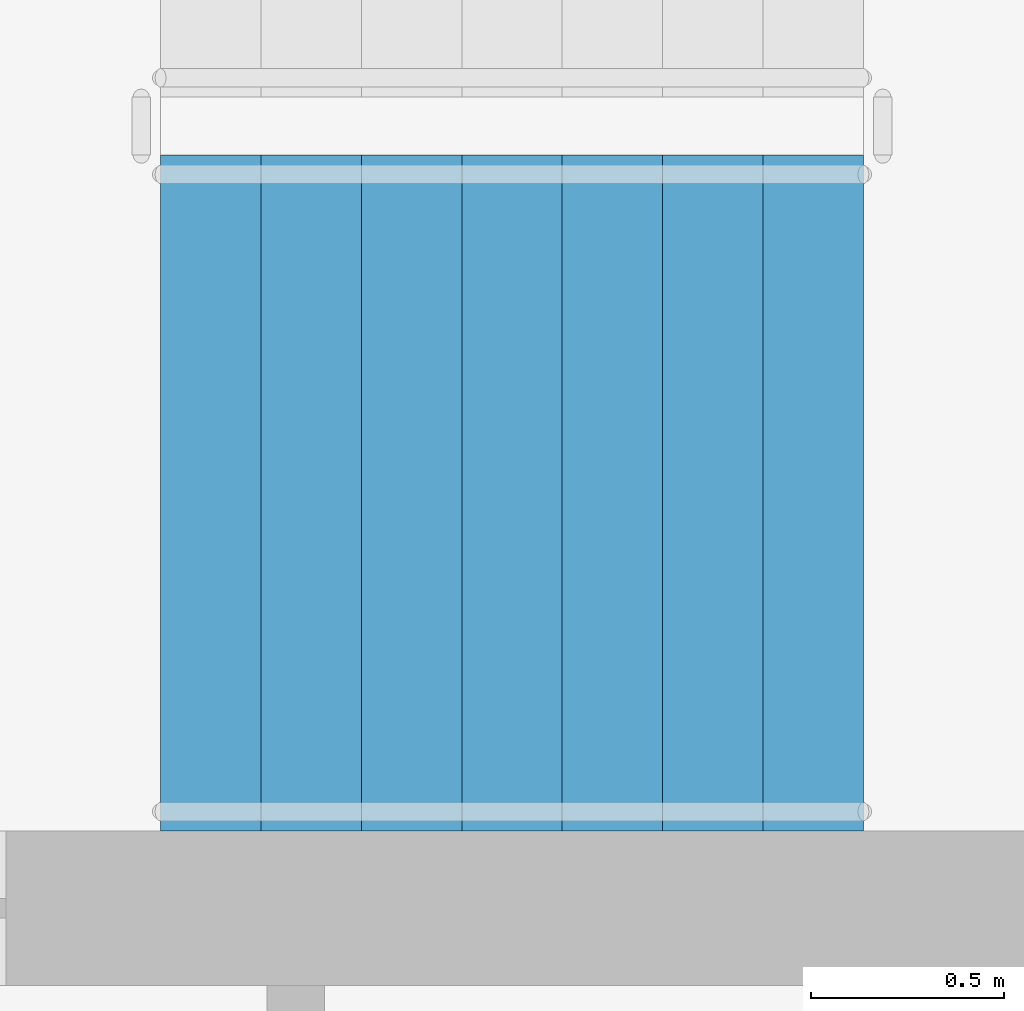
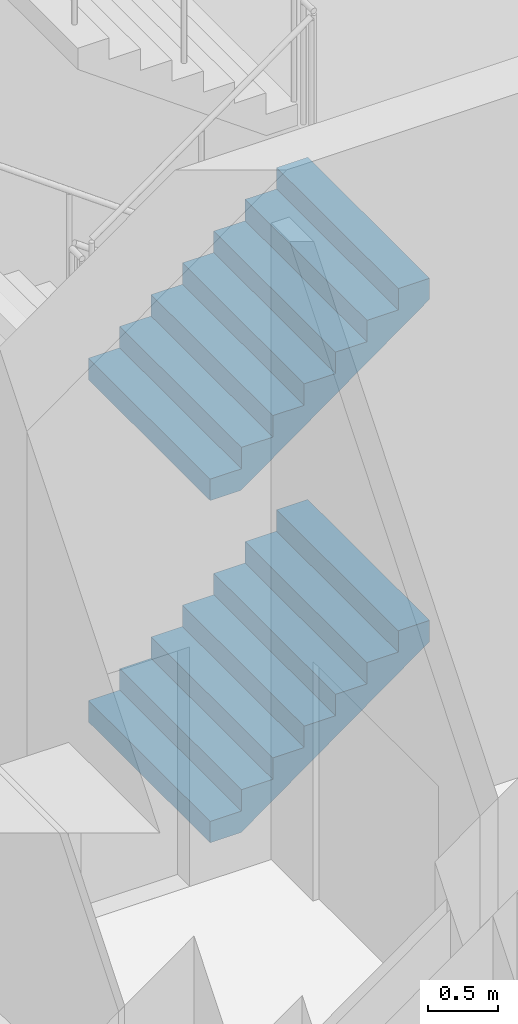
# One storey, part 46 of 75: 2 stair flights, 1 element without a shape of its own.
"""IFC4 building model written with IfcOpenShell, lengths in metres."""

from ifc_helpers import new_model, si_unit, direction, frame, origin, place, context, subcontext, project, spatial, faceted_brep, material, type_object, element, aggregate, save


model = new_model("IFC4")

# Units and contexts
model_context = context("Model", 3, precision=1e-05, world=origin(), true_north=direction((0.0, 1.0)))
body_context = subcontext(model_context, "Body", "Model", "MODEL_VIEW")
ifc_project = project(units=[si_unit("LENGTHUNIT", "METRE"), si_unit("AREAUNIT", "SQUARE_METRE"), si_unit("VOLUMEUNIT", "CUBIC_METRE"), si_unit("PLANEANGLEUNIT", "RADIAN"), si_unit("MASSUNIT", "GRAM", prefix="KILO")], contexts=[model_context])

# Site, building, storey
site_placement = place(None, origin())
site = spatial("IfcSite", under=ifc_project, at=site_placement, CompositionType="ELEMENT")
building_placement = place(site_placement, origin())
building = spatial("IfcBuilding", under=site, at=building_placement, Name="Ipe Terrace Towers", CompositionType="ELEMENT")
storey_placement = place(building_placement, origin())
storey = spatial("IfcBuildingStorey", under=building, at=storey_placement, Name="L00", CompositionType="ELEMENT", Elevation=0.0)

# Stair, stair flights
ifc_material_1 = material(Name="Concrete C30/37", Category="concrete")
stair_type = type_object("IfcStairType", Name="Protected exit stair", PredefinedType="HALF_TURN_STAIR", material=ifc_material_1)
stair_placement = place(storey_placement, origin())
stair = element("IfcStair", 1, at=stair_placement, inside=storey, type_object=stair_type, Name="L00 Exit stair T1-C1", PredefinedType="HALF_TURN_STAIR")
ifc_material_2 = material(Name="Concrete C30/37", Category="concrete")
stair_flight_type = type_object("IfcStairFlightType", Name="Exit stair flight 1750", PredefinedType="STRAIGHT", material=ifc_material_2)
stair_flight_1_placement = place(storey_placement, frame((-26.300048828125, 2.77490234375, 0.0), z_axis=(0.0, 0.0, 1.0), x_axis=(1.0, 0.0, 0.0)))
stair_flight_1 = element("IfcStairFlight", 2, at=stair_flight_1_placement, type_object=stair_flight_type, Name="T1-ST1 flight 1", NumberOfRisers=8, NumberOfTreads=7, PredefinedType="STRAIGHT", RiserHeight=0.1875, TreadLength=0.26, context=body_context, shape_type="Brep", body=[
    faceted_brep([(0.25634765625, -0.875, 0.0), (1.820068359375, -0.875, 1.127685546875), (1.820068359375, -0.875, 1.3125), (1.56005859375, -0.875, 1.3125), (1.56005859375, -0.875, 1.125), (1.300048828125, -0.875, 1.125), (1.300048828125, -0.875, 0.9375), (1.0400390625, -0.875, 0.9375), (1.0400390625, -0.875, 0.75), (0.780029296875, -0.875, 0.75), (0.780029296875, -0.875, 0.5625), (0.52001953125, -0.875, 0.5625), (0.52001953125, -0.875, 0.375), (0.260009765625, -0.875, 0.375), (0.260009765625, -0.875, 0.1875), (0.0, -0.875, 0.1875), (0.0, -0.875, 0.0), (0.0, 0.875, 0.0), (0.0, 0.875, 0.1875), (0.260009765625, 0.875, 0.1875), (0.260009765625, 0.875, 0.375), (0.52001953125, 0.875, 0.375), (0.52001953125, 0.875, 0.5625), (0.780029296875, 0.875, 0.5625), (0.780029296875, 0.875, 0.75), (1.0400390625, 0.875, 0.75), (1.0400390625, 0.875, 0.9375), (1.300048828125, 0.875, 0.9375), (1.300048828125, 0.875, 1.125), (1.56005859375, 0.875, 1.125), (1.56005859375, 0.875, 1.3125), (1.820068359375, 0.875, 1.3125), (1.820068359375, 0.875, 1.127685546875), (0.25634765625, 0.875, 0.0), (0.0, -0.300048828125, 0.1875), (0.0, -0.1201171875, 0.1875), (0.0, -0.06005859375, 0.1875), (0.0, -0.030029296875, 0.1875), (0.0, -0.010009765625, 0.1875), (0.0, 0.0, 0.1875), (0.0, 0.010009765625, 0.1875), (0.0, 0.030029296875, 0.1875), (0.0, 0.06005859375, 0.1875), (0.0, 0.1201171875, 0.1875), (0.0, 0.300048828125, 0.1875), (0.0, 0.300048828125, 0.0), (0.0, 0.1201171875, 0.0), (0.0, 0.06005859375, 0.0), (0.0, 0.030029296875, 0.0), (0.0, 0.010009765625, 0.0), (0.0, 0.0, 0.0), (0.0, -0.010009765625, 0.0), (0.0, -0.030029296875, 0.0), (0.0, -0.06005859375, 0.0), (0.0, -0.1201171875, 0.0), (0.0, -0.300048828125, 0.0), (0.260009765625, -0.300048828125, 0.1875), (0.260009765625, -0.1201171875, 0.1875), (0.260009765625, -0.06005859375, 0.1875), (0.260009765625, -0.030029296875, 0.1875), (0.260009765625, -0.010009765625, 0.1875), (0.260009765625, 0.0, 0.1875), (0.260009765625, 0.010009765625, 0.1875), (0.260009765625, 0.030029296875, 0.1875), (0.260009765625, 0.06005859375, 0.1875), (0.260009765625, 0.1201171875, 0.1875), (0.260009765625, 0.300048828125, 0.1875), (0.260009765625, -0.300048828125, 0.375), (0.260009765625, -0.1201171875, 0.375), (0.260009765625, -0.06005859375, 0.375), (0.260009765625, -0.030029296875, 0.375), (0.260009765625, -0.010009765625, 0.375), (0.260009765625, 0.0, 0.375), (0.260009765625, 0.010009765625, 0.375), (0.260009765625, 0.030029296875, 0.375), (0.260009765625, 0.06005859375, 0.375), (0.260009765625, 0.1201171875, 0.375), (0.260009765625, 0.300048828125, 0.375), (0.52001953125, -0.300048828125, 0.375), (0.52001953125, -0.1201171875, 0.375), (0.52001953125, -0.06005859375, 0.375), (0.52001953125, -0.030029296875, 0.375), (0.52001953125, -0.010009765625, 0.375), (0.52001953125, 0.0, 0.375), (0.52001953125, 0.010009765625, 0.375), (0.52001953125, 0.030029296875, 0.375), (0.52001953125, 0.06005859375, 0.375), (0.52001953125, 0.1201171875, 0.375), (0.52001953125, 0.300048828125, 0.375), (0.52001953125, -0.300048828125, 0.5625), (0.52001953125, -0.1201171875, 0.5625), (0.52001953125, -0.06005859375, 0.5625), (0.52001953125, -0.030029296875, 0.5625), (0.52001953125, -0.010009765625, 0.5625), (0.52001953125, 0.0, 0.5625), (0.52001953125, 0.010009765625, 0.5625), (0.52001953125, 0.030029296875, 0.5625), (0.52001953125, 0.06005859375, 0.5625), (0.52001953125, 0.1201171875, 0.5625), (0.52001953125, 0.300048828125, 0.5625), (0.780029296875, -0.300048828125, 0.5625), (0.780029296875, -0.1201171875, 0.5625), (0.780029296875, -0.06005859375, 0.5625), (0.780029296875, -0.030029296875, 0.5625), (0.780029296875, -0.010009765625, 0.5625), (0.780029296875, 0.0, 0.5625), (0.780029296875, 0.010009765625, 0.5625), (0.780029296875, 0.030029296875, 0.5625), (0.780029296875, 0.06005859375, 0.5625), (0.780029296875, 0.1201171875, 0.5625), (0.780029296875, 0.300048828125, 0.5625), (0.780029296875, -0.300048828125, 0.75), (0.780029296875, -0.1201171875, 0.75), (0.780029296875, -0.06005859375, 0.75), (0.780029296875, -0.030029296875, 0.75), (0.780029296875, -0.010009765625, 0.75), (0.780029296875, 0.0, 0.75), (0.780029296875, 0.010009765625, 0.75), (0.780029296875, 0.030029296875, 0.75), (0.780029296875, 0.06005859375, 0.75), (0.780029296875, 0.1201171875, 0.75), (0.780029296875, 0.300048828125, 0.75), (1.0400390625, -0.300048828125, 0.75), (1.0400390625, -0.1201171875, 0.75), (1.0400390625, -0.06005859375, 0.75), (1.0400390625, -0.030029296875, 0.75), (1.0400390625, -0.010009765625, 0.75), (1.0400390625, 0.0, 0.75), (1.0400390625, 0.010009765625, 0.75), (1.0400390625, 0.030029296875, 0.75), (1.0400390625, 0.06005859375, 0.75), (1.0400390625, 0.1201171875, 0.75), (1.0400390625, 0.300048828125, 0.75), (1.0400390625, -0.300048828125, 0.9375), (1.0400390625, -0.1201171875, 0.9375), (1.0400390625, -0.06005859375, 0.9375), (1.0400390625, -0.030029296875, 0.9375), (1.0400390625, -0.010009765625, 0.9375), (1.0400390625, 0.0, 0.9375), (1.0400390625, 0.010009765625, 0.9375), (1.0400390625, 0.030029296875, 0.9375), (1.0400390625, 0.06005859375, 0.9375), (1.0400390625, 0.1201171875, 0.9375), (1.0400390625, 0.300048828125, 0.9375), (1.300048828125, -0.300048828125, 0.9375), (1.300048828125, -0.1201171875, 0.9375), (1.300048828125, -0.06005859375, 0.9375), (1.300048828125, -0.030029296875, 0.9375), (1.300048828125, -0.010009765625, 0.9375), (1.300048828125, 0.0, 0.9375), (1.300048828125, 0.010009765625, 0.9375), (1.300048828125, 0.030029296875, 0.9375), (1.300048828125, 0.06005859375, 0.9375), (1.300048828125, 0.1201171875, 0.9375), (1.300048828125, 0.300048828125, 0.9375), (1.300048828125, -0.300048828125, 1.125), (1.300048828125, -0.1201171875, 1.125), (1.300048828125, -0.06005859375, 1.125), (1.300048828125, -0.030029296875, 1.125), (1.300048828125, -0.010009765625, 1.125), (1.300048828125, 0.0, 1.125), (1.300048828125, 0.010009765625, 1.125), (1.300048828125, 0.030029296875, 1.125), (1.300048828125, 0.06005859375, 1.125), (1.300048828125, 0.1201171875, 1.125), (1.300048828125, 0.300048828125, 1.125), (1.56005859375, -0.300048828125, 1.125), (1.56005859375, -0.1201171875, 1.125), (1.56005859375, -0.06005859375, 1.125), (1.56005859375, -0.030029296875, 1.125), (1.56005859375, -0.010009765625, 1.125), (1.56005859375, 0.0, 1.125), (1.56005859375, 0.010009765625, 1.125), (1.56005859375, 0.030029296875, 1.125), (1.56005859375, 0.06005859375, 1.125), (1.56005859375, 0.1201171875, 1.125), (1.56005859375, 0.300048828125, 1.125), (1.56005859375, -0.300048828125, 1.3125), (1.56005859375, -0.1201171875, 1.3125), (1.56005859375, -0.06005859375, 1.3125), (1.56005859375, -0.030029296875, 1.3125), (1.56005859375, -0.010009765625, 1.3125), (1.56005859375, 0.0, 1.3125), (1.56005859375, 0.010009765625, 1.3125), (1.56005859375, 0.030029296875, 1.3125), (1.56005859375, 0.06005859375, 1.3125), (1.56005859375, 0.1201171875, 1.3125), (1.56005859375, 0.300048828125, 1.3125), (1.820068359375, -0.300048828125, 1.3125), (1.820068359375, -0.1201171875, 1.3125), (1.820068359375, -0.06005859375, 1.3125), (1.820068359375, -0.030029296875, 1.3125), (1.820068359375, -0.010009765625, 1.3125), (1.820068359375, 0.0, 1.3125), (1.820068359375, 0.010009765625, 1.3125), (1.820068359375, 0.030029296875, 1.3125), (1.820068359375, 0.06005859375, 1.3125), (1.820068359375, 0.1201171875, 1.3125), (1.820068359375, 0.300048828125, 1.3125), (1.820068359375, -0.300048828125, 1.127685546875), (1.820068359375, -0.1201171875, 1.127685546875), (1.820068359375, -0.06005859375, 1.127685546875), (1.820068359375, -0.030029296875, 1.127685546875), (1.820068359375, -0.010009765625, 1.127685546875), (1.820068359375, 0.0, 1.127685546875), (1.820068359375, 0.010009765625, 1.127685546875), (1.820068359375, 0.030029296875, 1.127685546875), (1.820068359375, 0.06005859375, 1.127685546875), (1.820068359375, 0.1201171875, 1.127685546875), (1.820068359375, 0.300048828125, 1.127685546875), (0.25634765625, -0.300048828125, 0.0), (0.25634765625, -0.1201171875, 0.0), (0.25634765625, -0.06005859375, 0.0), (0.25634765625, -0.030029296875, 0.0), (0.25634765625, -0.010009765625, 0.0), (0.25634765625, 0.0, 0.0), (0.25634765625, 0.010009765625, 0.0), (0.25634765625, 0.030029296875, 0.0), (0.25634765625, 0.06005859375, 0.0), (0.25634765625, 0.1201171875, 0.0), (0.25634765625, 0.300048828125, 0.0)], [[[0, 1, 2, 3, 4, 5, 6, 7, 8, 9, 10, 11, 12, 13, 14, 15, 16]], [[17, 18, 19, 20, 21, 22, 23, 24, 25, 26, 27, 28, 29, 30, 31, 32, 33]], [[15, 34, 35, 36, 37, 38, 39, 40, 41, 42, 43, 44, 18, 17, 45, 46, 47, 48, 49, 50, 51, 52, 53, 54, 55, 16]], [[14, 56, 57, 58, 59, 60, 61, 62, 63, 64, 65, 66, 19, 18, 44, 43, 42, 41, 40, 39, 38, 37, 36, 35, 34, 15]], [[13, 67, 68, 69, 70, 71, 72, 73, 74, 75, 76, 77, 20, 19, 66, 65, 64, 63, 62, 61, 60, 59, 58, 57, 56, 14]], [[12, 78, 79, 80, 81, 82, 83, 84, 85, 86, 87, 88, 21, 20, 77, 76, 75, 74, 73, 72, 71, 70, 69, 68, 67, 13]], [[11, 89, 90, 91, 92, 93, 94, 95, 96, 97, 98, 99, 22, 21, 88, 87, 86, 85, 84, 83, 82, 81, 80, 79, 78, 12]], [[10, 100, 101, 102, 103, 104, 105, 106, 107, 108, 109, 110, 23, 22, 99, 98, 97, 96, 95, 94, 93, 92, 91, 90, 89, 11]], [[9, 111, 112, 113, 114, 115, 116, 117, 118, 119, 120, 121, 24, 23, 110, 109, 108, 107, 106, 105, 104, 103, 102, 101, 100, 10]], [[8, 122, 123, 124, 125, 126, 127, 128, 129, 130, 131, 132, 25, 24, 121, 120, 119, 118, 117, 116, 115, 114, 113, 112, 111, 9]], [[7, 133, 134, 135, 136, 137, 138, 139, 140, 141, 142, 143, 26, 25, 132, 131, 130, 129, 128, 127, 126, 125, 124, 123, 122, 8]], [[6, 144, 145, 146, 147, 148, 149, 150, 151, 152, 153, 154, 27, 26, 143, 142, 141, 140, 139, 138, 137, 136, 135, 134, 133, 7]], [[5, 155, 156, 157, 158, 159, 160, 161, 162, 163, 164, 165, 28, 27, 154, 153, 152, 151, 150, 149, 148, 147, 146, 145, 144, 6]], [[4, 166, 167, 168, 169, 170, 171, 172, 173, 174, 175, 176, 29, 28, 165, 164, 163, 162, 161, 160, 159, 158, 157, 156, 155, 5]], [[3, 177, 178, 179, 180, 181, 182, 183, 184, 185, 186, 187, 30, 29, 176, 175, 174, 173, 172, 171, 170, 169, 168, 167, 166, 4]], [[2, 188, 189, 190, 191, 192, 193, 194, 195, 196, 197, 198, 31, 30, 187, 186, 185, 184, 183, 182, 181, 180, 179, 178, 177, 3]], [[1, 199, 200, 201, 202, 203, 204, 205, 206, 207, 208, 209, 32, 31, 198, 197, 196, 195, 194, 193, 192, 191, 190, 189, 188, 2]], [[0, 210, 211, 212, 213, 214, 215, 216, 217, 218, 219, 220, 33, 32, 209, 208, 207, 206, 205, 204, 203, 202, 201, 200, 199, 1]], [[16, 55, 54, 53, 52, 51, 50, 49, 48, 47, 46, 45, 17, 33, 220, 219, 218, 217, 216, 215, 214, 213, 212, 211, 210, 0]]]),
])
stair_flight_2_placement = place(storey_placement, frame((-26.300048828125, 2.77490234375, 3.0), z_axis=(0.0, 0.0, 1.0), x_axis=(1.0, 0.0, 0.0)))
stair_flight_2 = element("IfcStairFlight", 3, at=stair_flight_2_placement, type_object=stair_flight_type, Name="T1-ST1 flight 3", NumberOfRisers=8, NumberOfTreads=7, PredefinedType="STRAIGHT", RiserHeight=0.1875, TreadLength=0.26, context=body_context, shape_type="Brep", body=[
    faceted_brep([(0.25634765625, -0.875, 0.0), (1.820068359375, -0.875, 1.127685546875), (1.820068359375, -0.875, 1.3125), (1.56005859375, -0.875, 1.3125), (1.56005859375, -0.875, 1.125), (1.300048828125, -0.875, 1.125), (1.300048828125, -0.875, 0.9375), (1.0400390625, -0.875, 0.9375), (1.0400390625, -0.875, 0.75), (0.780029296875, -0.875, 0.75), (0.780029296875, -0.875, 0.5625), (0.52001953125, -0.875, 0.5625), (0.52001953125, -0.875, 0.375), (0.260009765625, -0.875, 0.375), (0.260009765625, -0.875, 0.1875), (0.0, -0.875, 0.1875), (0.0, -0.875, 0.0), (0.0, 0.875, 0.0), (0.0, 0.875, 0.1875), (0.260009765625, 0.875, 0.1875), (0.260009765625, 0.875, 0.375), (0.52001953125, 0.875, 0.375), (0.52001953125, 0.875, 0.5625), (0.780029296875, 0.875, 0.5625), (0.780029296875, 0.875, 0.75), (1.0400390625, 0.875, 0.75), (1.0400390625, 0.875, 0.9375), (1.300048828125, 0.875, 0.9375), (1.300048828125, 0.875, 1.125), (1.56005859375, 0.875, 1.125), (1.56005859375, 0.875, 1.3125), (1.820068359375, 0.875, 1.3125), (1.820068359375, 0.875, 1.127685546875), (0.25634765625, 0.875, 0.0), (0.0, -0.300048828125, 0.1875), (0.0, -0.1201171875, 0.1875), (0.0, -0.06005859375, 0.1875), (0.0, -0.030029296875, 0.1875), (0.0, -0.010009765625, 0.1875), (0.0, 0.0, 0.1875), (0.0, 0.010009765625, 0.1875), (0.0, 0.030029296875, 0.1875), (0.0, 0.06005859375, 0.1875), (0.0, 0.1201171875, 0.1875), (0.0, 0.300048828125, 0.1875), (0.0, 0.300048828125, 0.0), (0.0, 0.1201171875, 0.0), (0.0, 0.06005859375, 0.0), (0.0, 0.030029296875, 0.0), (0.0, 0.010009765625, 0.0), (0.0, 0.0, 0.0), (0.0, -0.010009765625, 0.0), (0.0, -0.030029296875, 0.0), (0.0, -0.06005859375, 0.0), (0.0, -0.1201171875, 0.0), (0.0, -0.300048828125, 0.0), (0.260009765625, -0.300048828125, 0.1875), (0.260009765625, -0.1201171875, 0.1875), (0.260009765625, -0.06005859375, 0.1875), (0.260009765625, -0.030029296875, 0.1875), (0.260009765625, -0.010009765625, 0.1875), (0.260009765625, 0.0, 0.1875), (0.260009765625, 0.010009765625, 0.1875), (0.260009765625, 0.030029296875, 0.1875), (0.260009765625, 0.06005859375, 0.1875), (0.260009765625, 0.1201171875, 0.1875), (0.260009765625, 0.300048828125, 0.1875), (0.260009765625, -0.300048828125, 0.375), (0.260009765625, -0.1201171875, 0.375), (0.260009765625, -0.06005859375, 0.375), (0.260009765625, -0.030029296875, 0.375), (0.260009765625, -0.010009765625, 0.375), (0.260009765625, 0.0, 0.375), (0.260009765625, 0.010009765625, 0.375), (0.260009765625, 0.030029296875, 0.375), (0.260009765625, 0.06005859375, 0.375), (0.260009765625, 0.1201171875, 0.375), (0.260009765625, 0.300048828125, 0.375), (0.52001953125, -0.300048828125, 0.375), (0.52001953125, -0.1201171875, 0.375), (0.52001953125, -0.06005859375, 0.375), (0.52001953125, -0.030029296875, 0.375), (0.52001953125, -0.010009765625, 0.375), (0.52001953125, 0.0, 0.375), (0.52001953125, 0.010009765625, 0.375), (0.52001953125, 0.030029296875, 0.375), (0.52001953125, 0.06005859375, 0.375), (0.52001953125, 0.1201171875, 0.375), (0.52001953125, 0.300048828125, 0.375), (0.52001953125, -0.300048828125, 0.5625), (0.52001953125, -0.1201171875, 0.5625), (0.52001953125, -0.06005859375, 0.5625), (0.52001953125, -0.030029296875, 0.5625), (0.52001953125, -0.010009765625, 0.5625), (0.52001953125, 0.0, 0.5625), (0.52001953125, 0.010009765625, 0.5625), (0.52001953125, 0.030029296875, 0.5625), (0.52001953125, 0.06005859375, 0.5625), (0.52001953125, 0.1201171875, 0.5625), (0.52001953125, 0.300048828125, 0.5625), (0.780029296875, -0.300048828125, 0.5625), (0.780029296875, -0.1201171875, 0.5625), (0.780029296875, -0.06005859375, 0.5625), (0.780029296875, -0.030029296875, 0.5625), (0.780029296875, -0.010009765625, 0.5625), (0.780029296875, 0.0, 0.5625), (0.780029296875, 0.010009765625, 0.5625), (0.780029296875, 0.030029296875, 0.5625), (0.780029296875, 0.06005859375, 0.5625), (0.780029296875, 0.1201171875, 0.5625), (0.780029296875, 0.300048828125, 0.5625), (0.780029296875, -0.300048828125, 0.75), (0.780029296875, -0.1201171875, 0.75), (0.780029296875, -0.06005859375, 0.75), (0.780029296875, -0.030029296875, 0.75), (0.780029296875, -0.010009765625, 0.75), (0.780029296875, 0.0, 0.75), (0.780029296875, 0.010009765625, 0.75), (0.780029296875, 0.030029296875, 0.75), (0.780029296875, 0.06005859375, 0.75), (0.780029296875, 0.1201171875, 0.75), (0.780029296875, 0.300048828125, 0.75), (1.0400390625, -0.300048828125, 0.75), (1.0400390625, -0.1201171875, 0.75), (1.0400390625, -0.06005859375, 0.75), (1.0400390625, -0.030029296875, 0.75), (1.0400390625, -0.010009765625, 0.75), (1.0400390625, 0.0, 0.75), (1.0400390625, 0.010009765625, 0.75), (1.0400390625, 0.030029296875, 0.75), (1.0400390625, 0.06005859375, 0.75), (1.0400390625, 0.1201171875, 0.75), (1.0400390625, 0.300048828125, 0.75), (1.0400390625, -0.300048828125, 0.9375), (1.0400390625, -0.1201171875, 0.9375), (1.0400390625, -0.06005859375, 0.9375), (1.0400390625, -0.030029296875, 0.9375), (1.0400390625, -0.010009765625, 0.9375), (1.0400390625, 0.0, 0.9375), (1.0400390625, 0.010009765625, 0.9375), (1.0400390625, 0.030029296875, 0.9375), (1.0400390625, 0.06005859375, 0.9375), (1.0400390625, 0.1201171875, 0.9375), (1.0400390625, 0.300048828125, 0.9375), (1.300048828125, -0.300048828125, 0.9375), (1.300048828125, -0.1201171875, 0.9375), (1.300048828125, -0.06005859375, 0.9375), (1.300048828125, -0.030029296875, 0.9375), (1.300048828125, -0.010009765625, 0.9375), (1.300048828125, 0.0, 0.9375), (1.300048828125, 0.010009765625, 0.9375), (1.300048828125, 0.030029296875, 0.9375), (1.300048828125, 0.06005859375, 0.9375), (1.300048828125, 0.1201171875, 0.9375), (1.300048828125, 0.300048828125, 0.9375), (1.300048828125, -0.300048828125, 1.125), (1.300048828125, -0.1201171875, 1.125), (1.300048828125, -0.06005859375, 1.125), (1.300048828125, -0.030029296875, 1.125), (1.300048828125, -0.010009765625, 1.125), (1.300048828125, 0.0, 1.125), (1.300048828125, 0.010009765625, 1.125), (1.300048828125, 0.030029296875, 1.125), (1.300048828125, 0.06005859375, 1.125), (1.300048828125, 0.1201171875, 1.125), (1.300048828125, 0.300048828125, 1.125), (1.56005859375, -0.300048828125, 1.125), (1.56005859375, -0.1201171875, 1.125), (1.56005859375, -0.06005859375, 1.125), (1.56005859375, -0.030029296875, 1.125), (1.56005859375, -0.010009765625, 1.125), (1.56005859375, 0.0, 1.125), (1.56005859375, 0.010009765625, 1.125), (1.56005859375, 0.030029296875, 1.125), (1.56005859375, 0.06005859375, 1.125), (1.56005859375, 0.1201171875, 1.125), (1.56005859375, 0.300048828125, 1.125), (1.56005859375, -0.300048828125, 1.3125), (1.56005859375, -0.1201171875, 1.3125), (1.56005859375, -0.06005859375, 1.3125), (1.56005859375, -0.030029296875, 1.3125), (1.56005859375, -0.010009765625, 1.3125), (1.56005859375, 0.0, 1.3125), (1.56005859375, 0.010009765625, 1.3125), (1.56005859375, 0.030029296875, 1.3125), (1.56005859375, 0.06005859375, 1.3125), (1.56005859375, 0.1201171875, 1.3125), (1.56005859375, 0.300048828125, 1.3125), (1.820068359375, -0.300048828125, 1.3125), (1.820068359375, -0.1201171875, 1.3125), (1.820068359375, -0.06005859375, 1.3125), (1.820068359375, -0.030029296875, 1.3125), (1.820068359375, -0.010009765625, 1.3125), (1.820068359375, 0.0, 1.3125), (1.820068359375, 0.010009765625, 1.3125), (1.820068359375, 0.030029296875, 1.3125), (1.820068359375, 0.06005859375, 1.3125), (1.820068359375, 0.1201171875, 1.3125), (1.820068359375, 0.300048828125, 1.3125), (1.820068359375, -0.300048828125, 1.127685546875), (1.820068359375, -0.1201171875, 1.127685546875), (1.820068359375, -0.06005859375, 1.127685546875), (1.820068359375, -0.030029296875, 1.127685546875), (1.820068359375, -0.010009765625, 1.127685546875), (1.820068359375, 0.0, 1.127685546875), (1.820068359375, 0.010009765625, 1.127685546875), (1.820068359375, 0.030029296875, 1.127685546875), (1.820068359375, 0.06005859375, 1.127685546875), (1.820068359375, 0.1201171875, 1.127685546875), (1.820068359375, 0.300048828125, 1.127685546875), (0.25634765625, -0.300048828125, 0.0), (0.25634765625, -0.1201171875, 0.0), (0.25634765625, -0.06005859375, 0.0), (0.25634765625, -0.030029296875, 0.0), (0.25634765625, -0.010009765625, 0.0), (0.25634765625, 0.0, 0.0), (0.25634765625, 0.010009765625, 0.0), (0.25634765625, 0.030029296875, 0.0), (0.25634765625, 0.06005859375, 0.0), (0.25634765625, 0.1201171875, 0.0), (0.25634765625, 0.300048828125, 0.0)], [[[0, 1, 2, 3, 4, 5, 6, 7, 8, 9, 10, 11, 12, 13, 14, 15, 16]], [[17, 18, 19, 20, 21, 22, 23, 24, 25, 26, 27, 28, 29, 30, 31, 32, 33]], [[15, 34, 35, 36, 37, 38, 39, 40, 41, 42, 43, 44, 18, 17, 45, 46, 47, 48, 49, 50, 51, 52, 53, 54, 55, 16]], [[14, 56, 57, 58, 59, 60, 61, 62, 63, 64, 65, 66, 19, 18, 44, 43, 42, 41, 40, 39, 38, 37, 36, 35, 34, 15]], [[13, 67, 68, 69, 70, 71, 72, 73, 74, 75, 76, 77, 20, 19, 66, 65, 64, 63, 62, 61, 60, 59, 58, 57, 56, 14]], [[12, 78, 79, 80, 81, 82, 83, 84, 85, 86, 87, 88, 21, 20, 77, 76, 75, 74, 73, 72, 71, 70, 69, 68, 67, 13]], [[11, 89, 90, 91, 92, 93, 94, 95, 96, 97, 98, 99, 22, 21, 88, 87, 86, 85, 84, 83, 82, 81, 80, 79, 78, 12]], [[10, 100, 101, 102, 103, 104, 105, 106, 107, 108, 109, 110, 23, 22, 99, 98, 97, 96, 95, 94, 93, 92, 91, 90, 89, 11]], [[9, 111, 112, 113, 114, 115, 116, 117, 118, 119, 120, 121, 24, 23, 110, 109, 108, 107, 106, 105, 104, 103, 102, 101, 100, 10]], [[8, 122, 123, 124, 125, 126, 127, 128, 129, 130, 131, 132, 25, 24, 121, 120, 119, 118, 117, 116, 115, 114, 113, 112, 111, 9]], [[7, 133, 134, 135, 136, 137, 138, 139, 140, 141, 142, 143, 26, 25, 132, 131, 130, 129, 128, 127, 126, 125, 124, 123, 122, 8]], [[6, 144, 145, 146, 147, 148, 149, 150, 151, 152, 153, 154, 27, 26, 143, 142, 141, 140, 139, 138, 137, 136, 135, 134, 133, 7]], [[5, 155, 156, 157, 158, 159, 160, 161, 162, 163, 164, 165, 28, 27, 154, 153, 152, 151, 150, 149, 148, 147, 146, 145, 144, 6]], [[4, 166, 167, 168, 169, 170, 171, 172, 173, 174, 175, 176, 29, 28, 165, 164, 163, 162, 161, 160, 159, 158, 157, 156, 155, 5]], [[3, 177, 178, 179, 180, 181, 182, 183, 184, 185, 186, 187, 30, 29, 176, 175, 174, 173, 172, 171, 170, 169, 168, 167, 166, 4]], [[2, 188, 189, 190, 191, 192, 193, 194, 195, 196, 197, 198, 31, 30, 187, 186, 185, 184, 183, 182, 181, 180, 179, 178, 177, 3]], [[1, 199, 200, 201, 202, 203, 204, 205, 206, 207, 208, 209, 32, 31, 198, 197, 196, 195, 194, 193, 192, 191, 190, 189, 188, 2]], [[0, 210, 211, 212, 213, 214, 215, 216, 217, 218, 219, 220, 33, 32, 209, 208, 207, 206, 205, 204, 203, 202, 201, 200, 199, 1]], [[16, 55, 54, 53, 52, 51, 50, 49, 48, 47, 46, 45, 17, 33, 220, 219, 218, 217, 216, 215, 214, 213, 212, 211, 210, 0]]]),
])
aggregate(stair, [stair_flight_1, stair_flight_2])

save(model, "model.ifc")
